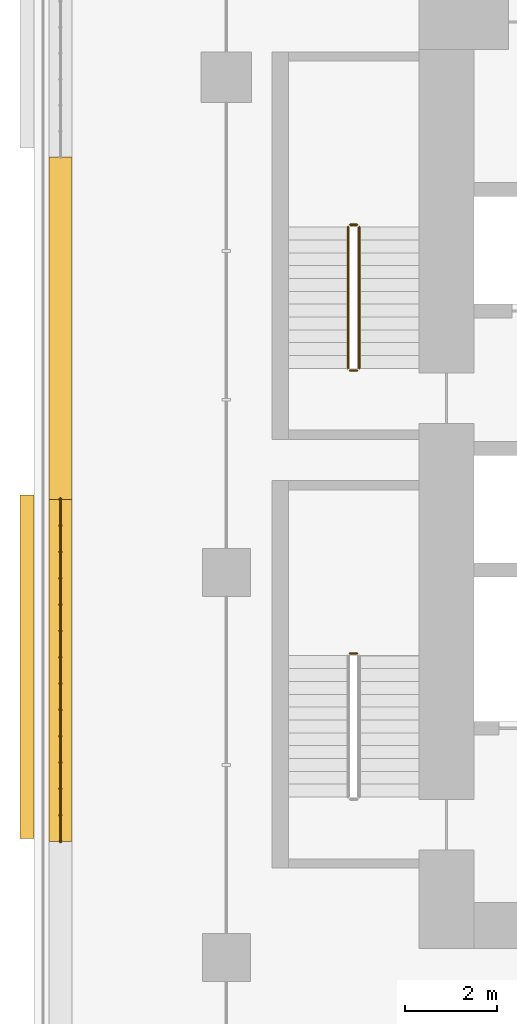
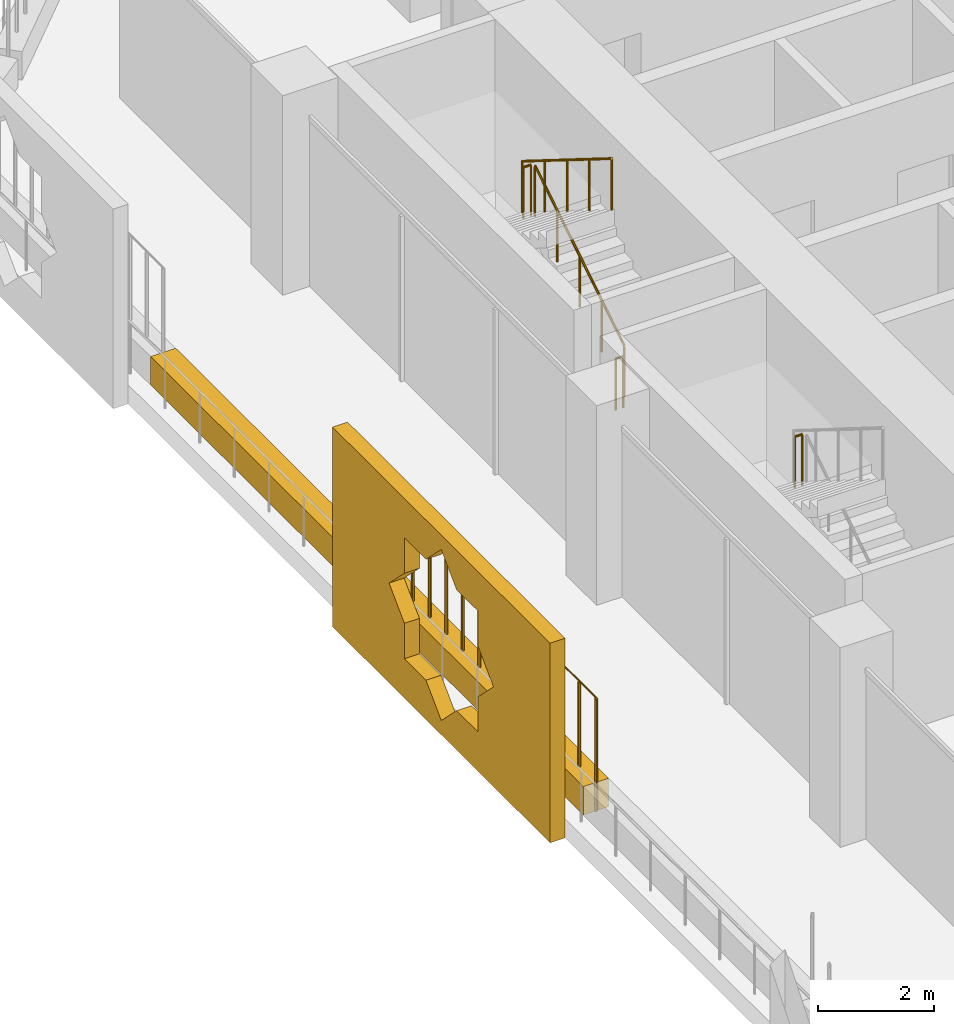
# One storey, part 24 of 29: 6 railings, 3 coverings.
"""IFC4 building model written with IfcOpenShell, lengths in metres."""

import ifcopenshell
import ifcopenshell.guid

model = None  # the IFC model being written
_history = None  # IfcOwnerHistory: only IFC2X3 demands one
_inside = {}  # id of a spatial element -> (the spatial element, [elements in it])
_under = {}  # id of a project, library or spatial element -> (it, [spatial elements below it])
_declared = {}  # id of a project -> (the project, [libraries it declares])
_typed = {}  # id of a type object -> (the type object, [elements of that type])
_made_of = {}  # id of a material, layer set ... -> (it, [elements and type objects made of it])


def new_model(schema):
    """Start an empty IFC model of exactly this schema.

    Asked for "IFC4X3", IfcOpenShell would pick the latest addendum, in which some entities
    have other attributes; the version numbers below select the first issue.
    IFC2X3 requires an IfcOwnerHistory on every rooted entity: one is made here for all.
    """
    global model, _history
    if schema == "IFC4X3":
        model = ifcopenshell.file(schema_version=(4, 3, 0, 0))
    else:
        model = ifcopenshell.file(schema=schema)
    _inside.clear()
    _under.clear()
    _declared.clear()
    _typed.clear()
    _made_of.clear()
    _history = None
    if model.schema == "IFC2X3":
        org = make("IfcOrganization", Name="unknown")
        user = make(
            "IfcPersonAndOrganization",
            ThePerson=make("IfcPerson", FamilyName="unknown"),
            TheOrganization=org,
        )
        app = make(
            "IfcApplication",
            ApplicationDeveloper=org,
            Version="unknown",
            ApplicationFullName="unknown",
            ApplicationIdentifier="unknown",
        )
        _history = make(
            "IfcOwnerHistory",
            OwningUser=user,
            OwningApplication=app,
            ChangeAction="ADDED",
            CreationDate=0,
        )
    return model


def make(cls, **values):
    """One entity of the class cls with the attributes given. An attribute that is None is left unset."""
    return model.create_entity(
        cls, **{name: value for name, value in values.items() if value is not None}
    )


def rooted(cls, **values):
    """An entity with a GlobalId (a new one), such as an element, a storey or a relation."""
    return make(cls, GlobalId=ifcopenshell.guid.new(), OwnerHistory=_history, **values)


def si_unit(unit_type, name, prefix=None):
    """IfcSIUnit, for example si_unit("LENGTHUNIT", "METRE", prefix="MILLI")."""
    return make("IfcSIUnit", UnitType=unit_type, Prefix=prefix, Name=name)


def assignment(units):
    """IfcUnitAssignment: the units of a project."""
    return None if units is None else make("IfcUnitAssignment", Units=units)


def point(xyz):
    """IfcCartesianPoint."""
    return None if xyz is None else make("IfcCartesianPoint", Coordinates=xyz)


def direction(xyz):
    """IfcDirection."""
    return None if xyz is None else make("IfcDirection", DirectionRatios=xyz)


def frame(location, z_axis=None, x_axis=None):
    """IfcAxis2Placement3D, a coordinate frame: its origin and axes. An axis left out is left unset."""
    return make(
        "IfcAxis2Placement3D",
        Location=point(location),
        Axis=direction(z_axis),
        RefDirection=direction(x_axis),
    )


def frame_2d(location, x_axis=None):
    """IfcAxis2Placement2D, a coordinate frame in the plane: its origin and x axis."""
    return make(
        "IfcAxis2Placement2D", Location=point(location), RefDirection=direction(x_axis)
    )


def origin():
    """The frame at (0, 0, 0) with its axes left unset."""
    return frame((0.0, 0.0, 0.0))


def origin_2d():
    """The frame at (0, 0) in the plane with its x axis left unset."""
    return frame_2d((0.0, 0.0))


def place(relative_to, where):
    """IfcLocalPlacement: puts the frame where relative to a parent placement (None: the world)."""
    return make(
        "IfcLocalPlacement", PlacementRelTo=relative_to, RelativePlacement=where
    )


def context(
    kind, dimensions, precision=None, world=None, true_north=None, identifier=None
):
    """IfcGeometricRepresentationContext, for example the 3D "Model" context."""
    return make(
        "IfcGeometricRepresentationContext",
        ContextIdentifier=identifier,
        ContextType=kind,
        CoordinateSpaceDimension=dimensions,
        Precision=precision,
        WorldCoordinateSystem=world,
        TrueNorth=true_north,
    )


def subcontext(parent, identifier, kind, view, scale=None):
    """IfcGeometricRepresentationSubContext, for example "Body" below "Model"."""
    return make(
        "IfcGeometricRepresentationSubContext",
        ContextIdentifier=identifier,
        ContextType=kind,
        ParentContext=parent,
        TargetScale=scale,
        TargetView=view,
    )


def project(units=None, contexts=None):
    """IfcProject with its units and contexts."""
    return rooted(
        "IfcProject",
        Name="project",
        RepresentationContexts=contexts,
        UnitsInContext=assignment(units),
    )


def spatial(cls, under=None, at=None, **own):
    """A site, building, storey or space (cls), placed at a placement, below another one or the project."""
    s = rooted(cls, ObjectPlacement=at, **own)
    if under is not None:
        _under.setdefault(under.id(), (under, []))[1].append(s)
    return s


def polyline(points):
    """IfcPolyline through the points."""
    return make("IfcPolyline", Points=[point(p) for p in points])


def profile(cls, at=None, kind="AREA", **sizes):
    """A parametric profile (cls). Its sizes go by their IFC names, for example OverallWidth=200.0."""
    return make(cls, ProfileType=kind, Position=at, **sizes)


def rectangle(**sizes):
    """IfcRectangleProfileDef."""
    return profile("IfcRectangleProfileDef", **sizes)


def circle(**sizes):
    """IfcCircleProfileDef."""
    return profile("IfcCircleProfileDef", **sizes)


def outline(outer, holes=None, kind="AREA"):
    """IfcArbitraryClosedProfileDef: a profile drawn as a closed curve; with holes, ...WithVoids."""
    if holes is None:
        return make("IfcArbitraryClosedProfileDef", ProfileType=kind, OuterCurve=outer)
    return make(
        "IfcArbitraryProfileDefWithVoids",
        ProfileType=kind,
        OuterCurve=outer,
        InnerCurves=holes,
    )


def extrude(swept, where, along, depth):
    """IfcExtrudedAreaSolid: the profile swept, set in the frame where, extruded along a direction by depth."""
    return make(
        "IfcExtrudedAreaSolid",
        SweptArea=swept,
        Position=where,
        ExtrudedDirection=direction(along),
        Depth=depth,
    )


def shape(context_of_items, identifier, shape_type, items):
    """IfcShapeRepresentation: the items that make up one representation, for example the "Body"."""
    return make(
        "IfcShapeRepresentation",
        ContextOfItems=context_of_items,
        RepresentationIdentifier=identifier,
        RepresentationType=shape_type,
        Items=items,
    )


def material(Name=None, Category=None):
    """IfcMaterial."""
    return make("IfcMaterial", Name=Name, Category=Category)


def material_profile(
    of_material, cross_section, Name=None, Category=None, Priority=None
):
    """IfcMaterialProfile: a cross section and its material."""
    return make(
        "IfcMaterialProfile",
        Name=Name,
        Material=of_material,
        Profile=cross_section,
        Priority=Priority,
        Category=Category,
    )


def profile_set(profiles, Name=None, composite=None):
    """IfcMaterialProfileSet."""
    return make(
        "IfcMaterialProfileSet",
        Name=Name,
        MaterialProfiles=profiles,
        CompositeProfile=composite,
    )


def made_of(thing, what):
    """Note that an element or type object is made of a material, layer set ...; save() writes the relation."""
    if what is not None:
        _made_of.setdefault(what.id(), (what, []))[1].append(thing)
    return thing


def type_object(cls, material=None, **own):
    """A type object (cls), such as IfcWallType, which elements share."""
    return made_of(rooted(cls, **own), material)


def element(
    cls,
    number,
    at=None,
    inside=None,
    cuts=None,
    type_object=None,
    material=None,
    context=None,
    identifier="Body",
    shape_type=None,
    held_by="IfcProductDefinitionShape",
    body=None,
    shapes=None,
    **own,
):
    """One element of the class cls, such as IfcWall. Its Tag is "e" and its number.

    at: its placement. inside: the storey or other place that contains it. cuts: it is an
    opening in that element (IfcRelVoidsElement). A single representation is given by context,
    identifier, shape_type and body (its items); several are given by shapes. held_by: the class
    of the entity that holds the representations. save() writes the other relations.
    """
    e = rooted(cls, Tag="e%d" % number, ObjectPlacement=at, **own)
    if body is not None:
        shapes = [shape(context, identifier, shape_type, body)]
    if shapes is not None:
        e.Representation = make(held_by, Representations=shapes)
    if inside is not None:
        _inside.setdefault(inside.id(), (inside, []))[1].append(e)
    if cuts is not None:
        rooted(
            "IfcRelVoidsElement", RelatingBuildingElement=cuts, RelatedOpeningElement=e
        )
    if type_object is not None:
        _typed.setdefault(type_object.id(), (type_object, []))[1].append(e)
    return made_of(e, material)


def aggregate(whole, parts):
    """IfcRelAggregates: a whole, such as a stair, and the parts it consists of."""
    return rooted("IfcRelAggregates", RelatingObject=whole, RelatedObjects=parts)


def save(model, path):
    """Write the relations noted so far, then the file.

    IfcRelAggregates (storeys below a building ...), IfcRelContainedInSpatialStructure (elements
    in a storey), IfcRelDefinesByType, IfcRelAssociatesMaterial and IfcRelDeclares: one each for
    every whole, place, type object, material and project.
    """
    for whole, parts in _under.values():
        aggregate(whole, parts)
    for where, things in _inside.values():
        rooted(
            "IfcRelContainedInSpatialStructure",
            RelatedElements=things,
            RelatingStructure=where,
        )
    for kind, things in _typed.values():
        rooted("IfcRelDefinesByType", RelatedObjects=things, RelatingType=kind)
    for what, things in _made_of.values():
        rooted("IfcRelAssociatesMaterial", RelatedObjects=things, RelatingMaterial=what)
    for by, libraries in _declared.values():
        rooted("IfcRelDeclares", RelatingContext=by, RelatedDefinitions=libraries)
    model.write(path)


model = new_model("IFC4")

# Units and contexts
model_context = context("Model", 3, precision=1e-05, world=origin(), true_north=direction((0.0, 1.0)))
body_context = subcontext(model_context, "Body", "Model", "MODEL_VIEW")
ifc_project = project(units=[si_unit("LENGTHUNIT", "METRE"), si_unit("AREAUNIT", "SQUARE_METRE"), si_unit("VOLUMEUNIT", "CUBIC_METRE"), si_unit("PLANEANGLEUNIT", "RADIAN"), si_unit("MASSUNIT", "GRAM", prefix="KILO")], contexts=[model_context])

# Site, building, storey
site_placement = place(None, origin())
site = spatial("IfcSite", under=ifc_project, at=site_placement, CompositionType="ELEMENT")
building_placement = place(site_placement, origin())
building = spatial("IfcBuilding", under=site, at=building_placement, Name="Kawkab Arch Medical Tower", CompositionType="ELEMENT")
storey_placement = place(building_placement, frame((0.0, 0.0, 107.199951171875)))
storey = spatial("IfcBuildingStorey", under=building, at=storey_placement, Name="L24", CompositionType="ELEMENT", Elevation=107.199951171875)

# Coverings
ifc_material_1 = material(Name="Bronze anodised aluminium mashrabiya panel, eight-point star pattern", Category="aluminium")
ifc_material_profile_1 = material_profile(ifc_material_1, outline(polyline([(-3.75, -2.10009765625), (3.75, -2.10009765625), (3.75, 2.10009765625), (-3.75, 2.10009765625), (-3.75, -2.10009765625)]), holes=[polyline([(1.800048828125, 0.0), (1.272705078125, 0.527099609375), (1.272705078125, 1.272705078125), (0.527099609375, 1.272705078125), (0.0, 1.800048828125), (-0.527099609375, 1.272705078125), (-1.272705078125, 1.272705078125), (-1.272705078125, 0.527099609375), (-1.800048828125, 0.0), (-1.272705078125, -0.527099609375), (-1.272705078125, -1.272705078125), (-0.527099609375, -1.272705078125), (0.0, -1.800048828125), (0.527099609375, -1.272705078125), (1.272705078125, -1.272705078125), (1.272705078125, -0.527099609375), (1.800048828125, 0.0)])]), Name="Mashrabiya panel 7500x4200")
ifc_profile_set_1 = profile_set([ifc_material_profile_1], Name="Bronze anodised aluminium mashrabiya panel, eight-point star pattern")
covering_type_1 = type_object("IfcCoveringType", Name="Mashrabiya panel 7500 x 4200", PredefinedType="USERDEFINED", material=ifc_profile_set_1)
covering_placement = place(storey_placement, frame((-4.199951171875, -18.8583984375, 1.699951171875), z_axis=(-1.0, 0.0, 0.0), x_axis=(0.0, -1.0, 0.0)))
element("IfcCovering", 1, at=covering_placement, inside=storey, type_object=covering_type_1, Name="Mashrabiya panel L24.LOG-01-02.4", ObjectType="SCREEN", PredefinedType="USERDEFINED", context=body_context, shape_type="SweptSolid", body=[
    extrude(outline(polyline([(-3.75, -2.10009765625), (3.75, -2.10009765625), (3.75, 2.10009765625), (-3.75, 2.10009765625), (-3.75, -2.10009765625)]), holes=[polyline([(1.800048828125, 0.0), (1.272705078125, 0.527099609375), (1.272705078125, 1.272705078125), (0.527099609375, 1.272705078125), (0.0, 1.800048828125), (-0.527099609375, 1.272705078125), (-1.272705078125, 1.272705078125), (-1.272705078125, 0.527099609375), (-1.800048828125, 0.0), (-1.272705078125, -0.527099609375), (-1.272705078125, -1.272705078125), (-0.527099609375, -1.272705078125), (0.0, -1.800048828125), (0.527099609375, -1.272705078125), (1.272705078125, -1.272705078125), (1.272705078125, -0.527099609375), (1.800048828125, 0.0)])]), origin(), (0.0, 0.0, 1.0), 0.300048828125),
])
ifc_material_2 = material(Name="Planting soil in a precast trough", Category="concrete")
ifc_material_profile_2 = material_profile(ifc_material_2, rectangle(XDim=0.5, YDim=0.60009765625, at=origin_2d()), Name="Trough 500x600")
ifc_profile_set_2 = profile_set([ifc_material_profile_2], Name="Planting soil in a precast trough")
covering_type_2 = type_object("IfcCoveringType", Name="Planter trough 500 x 600", PredefinedType="USERDEFINED", material=ifc_profile_set_2)
for number, where, z_axis, x_axis, name in (
    (2, (-3.6201171875, -22.6689453125, 0.300048828125), (0.0, 1.0, 0.0), (-1.0, 0.0, 0.0), "Planter L24.LOG-01-02.11"),
    (3, (-3.6201171875, -15.20703125, 0.300048828125), (0.0, 1.0, 0.0), (-1.0, 0.0, 0.0), "Planter L24.LOG-01-02.12"),
):
    element("IfcCovering", number, at=place(storey_placement, frame(where, z_axis=z_axis, x_axis=x_axis)), inside=storey, type_object=covering_type_2, Name=name, ObjectType="PLANTER", PredefinedType="USERDEFINED", context=body_context, shape_type="SweptSolid", body=[
        extrude(rectangle(XDim=0.5, YDim=0.60009765625, at=origin_2d()), origin(), (0.0, 0.0, 1.0), 7.4619140625),
    ])

# Railings
ifc_material_3 = material(Name="Bronze anodised aluminium trellis for climbing plants", Category="aluminium")
railing_type_1 = type_object("IfcRailingType", Name="Planting trellis 2400", PredefinedType="USERDEFINED", material=ifc_material_3)
railing_1_placement = place(storey_placement, frame((-3.6201171875, -22.6689453125, 0.0)))
element("IfcRailing", 4, at=railing_1_placement, inside=storey, type_object=railing_type_1, Name="Planting trellis L24.LOG-01-02.11", ObjectType="TRELLIS", PredefinedType="USERDEFINED", context=body_context, shape_type="SweptSolid", body=[
    extrude(circle(Radius=0.01513671875, at=origin_2d()), frame((0.0, 0.0, 2.384765625), z_axis=(0.0, 1.0, 0.0), x_axis=(-1.0, 0.0, 0.0)), (0.0, 0.0, 1.0), 7.4619140625),
    extrude(circle(Radius=0.030029296875, at=origin_2d()), origin(), (0.0, 0.0, 1.0), 2.369873046875),
    extrude(circle(Radius=0.030029296875, at=origin_2d()), frame((0.0, 0.573974609375, 0.0)), (0.0, 0.0, 1.0), 2.369873046875),
    extrude(circle(Radius=0.030029296875, at=origin_2d()), frame((0.0, 1.14794921875, 0.0)), (0.0, 0.0, 1.0), 2.369873046875),
    extrude(circle(Radius=0.030029296875, at=origin_2d()), frame((0.0, 1.721923828125, 0.0)), (0.0, 0.0, 1.0), 2.369873046875),
    extrude(circle(Radius=0.030029296875, at=origin_2d()), frame((0.0, 2.2958984375, 0.0)), (0.0, 0.0, 1.0), 2.369873046875),
    extrude(circle(Radius=0.030029296875, at=origin_2d()), frame((0.0, 2.869873046875, 0.0)), (0.0, 0.0, 1.0), 2.369873046875),
    extrude(circle(Radius=0.030029296875, at=origin_2d()), frame((0.0, 3.44384765625, 0.0)), (0.0, 0.0, 1.0), 2.369873046875),
    extrude(circle(Radius=0.030029296875, at=origin_2d()), frame((0.0, 4.01806640625, 0.0)), (0.0, 0.0, 1.0), 2.369873046875),
    extrude(circle(Radius=0.030029296875, at=origin_2d()), frame((0.0, 4.592041015625, 0.0)), (0.0, 0.0, 1.0), 2.369873046875),
    extrude(circle(Radius=0.030029296875, at=origin_2d()), frame((0.0, 5.166015625, 0.0)), (0.0, 0.0, 1.0), 2.369873046875),
    extrude(circle(Radius=0.030029296875, at=origin_2d()), frame((0.0, 5.739990234375, 0.0)), (0.0, 0.0, 1.0), 2.369873046875),
    extrude(circle(Radius=0.030029296875, at=origin_2d()), frame((0.0, 6.31396484375, 0.0)), (0.0, 0.0, 1.0), 2.369873046875),
    extrude(circle(Radius=0.030029296875, at=origin_2d()), frame((0.0, 6.887939453125, 0.0)), (0.0, 0.0, 1.0), 2.369873046875),
    extrude(circle(Radius=0.030029296875, at=origin_2d()), frame((0.0, 7.4619140625, 0.0)), (0.0, 0.0, 1.0), 2.369873046875),
])
ifc_material_4 = material(Name="Stainless steel", Category="steel")
railing_type_2 = type_object("IfcRailingType", Name="Stair guard 1100", PredefinedType="GUARDRAIL", material=ifc_material_4)
railing_2_placement = place(storey_placement, frame((2.89990234375, -12.35009765625, 0.175048828125)))
element("IfcRailing", 5, at=railing_2_placement, inside=storey, type_object=railing_type_2, Name="L24 ST1 stair guard 1", PredefinedType="GUARDRAIL", context=body_context, shape_type="SweptSolid", body=[
    extrude(circle(Radius=0.02392578125, at=origin_2d()), frame((0.0, 0.0, 1.076171875), z_axis=(0.0, 0.847998304005, 0.529998940003), x_axis=(-1.0, 0.0, 0.0)), (0.0, 0.0, 1.0), 3.632080078125),
    extrude(circle(Radius=0.02099609375, at=origin_2d()), origin(), (0.0, 0.0, 1.0), 1.052001953125),
    extrude(circle(Radius=0.02099609375, at=origin_2d()), frame((0.0, 0.77001953125, 0.481201171875)), (0.0, 0.0, 1.0), 1.052001953125),
    extrude(circle(Radius=0.02099609375, at=origin_2d()), frame((0.0, 1.5400390625, 0.96240234375)), (0.0, 0.0, 1.0), 1.052001953125),
    extrude(circle(Radius=0.02099609375, at=origin_2d()), frame((0.0, 2.31005859375, 1.44384765625)), (0.0, 0.0, 1.0), 1.052001953125),
    extrude(circle(Radius=0.02099609375, at=origin_2d()), frame((0.0, 3.080078125, 1.925048828125)), (0.0, 0.0, 1.0), 1.052001953125),
])
railing_3_placement = place(storey_placement, frame((2.85009765625, -9.219970703125, 2.10009765625)))
element("IfcRailing", 6, at=railing_3_placement, inside=storey, type_object=railing_type_2, Name="L24 ST1 stair guard 2", PredefinedType="GUARDRAIL", context=body_context, shape_type="SweptSolid", body=[
    extrude(circle(Radius=0.02392578125, at=origin_2d()), frame((0.0, 0.0, 1.076171875), z_axis=(-1.0, 0.0, 0.0), x_axis=(0.0, -1.0, 0.0)), (0.0, 0.0, 1.0), 0.150146484375),
    extrude(circle(Radius=0.02099609375, at=origin_2d()), origin(), (0.0, 0.0, 1.0), 1.052001953125),
    extrude(circle(Radius=0.02099609375, at=origin_2d()), frame((-0.150146484375, 0.0, 0.0)), (0.0, 0.0, 1.0), 1.052001953125),
])
railing_4_placement = place(storey_placement, frame((2.64990234375, -9.27001953125, 2.275146484375)))
element("IfcRailing", 7, at=railing_4_placement, inside=storey, type_object=railing_type_2, Name="L24 ST1 stair guard 3", PredefinedType="GUARDRAIL", context=body_context, shape_type="SweptSolid", body=[
    extrude(circle(Radius=0.02392578125, at=origin_2d()), frame((0.0, 0.0, 1.076171875), z_axis=(0.0, -0.848028513186, 0.529950602248), x_axis=(1.0, 0.0, 0.0)), (0.0, 0.0, 1.0), 3.632080078125),
    extrude(circle(Radius=0.02099609375, at=origin_2d()), origin(), (0.0, 0.0, 1.0), 1.052001953125),
    extrude(circle(Radius=0.02099609375, at=origin_2d()), frame((0.0, -0.77001953125, 0.481201171875)), (0.0, 0.0, 1.0), 1.052001953125),
    extrude(circle(Radius=0.02099609375, at=origin_2d()), frame((0.0, -1.5400390625, 0.96240234375)), (0.0, 0.0, 1.0), 1.052001953125),
    extrude(circle(Radius=0.02099609375, at=origin_2d()), frame((0.0, -2.31005859375, 1.443603515625)), (0.0, 0.0, 1.0), 1.052001953125),
    extrude(circle(Radius=0.02099609375, at=origin_2d()), frame((0.0, -3.080078125, 1.9248046875)), (0.0, 0.0, 1.0), 1.052001953125),
])
for number, where, name in (
    (8, (2.85009765625, -12.39990234375, 0.0), "L24 ST1 stair guard 4"),
    (9, (2.85009765625, -18.570068359375, 2.10009765625), "L24 ST2 stair guard 2"),
):
    element("IfcRailing", number, at=place(storey_placement, frame(where)), inside=storey, type_object=railing_type_2, Name=name, PredefinedType="GUARDRAIL", context=body_context, shape_type="SweptSolid", body=[
        extrude(circle(Radius=0.02392578125, at=origin_2d()), frame((0.0, 0.0, 1.076171875), z_axis=(-1.0, 0.0, 0.0), x_axis=(0.0, -1.0, 0.0)), (0.0, 0.0, 1.0), 0.150146484375),
        extrude(circle(Radius=0.02099609375, at=origin_2d()), origin(), (0.0, 0.0, 1.0), 1.052001953125),
        extrude(circle(Radius=0.02099609375, at=origin_2d()), frame((-0.150146484375, 0.0, 0.0)), (0.0, 0.0, 1.0), 1.052001953125),
    ])

save(model, "model.ifc")
